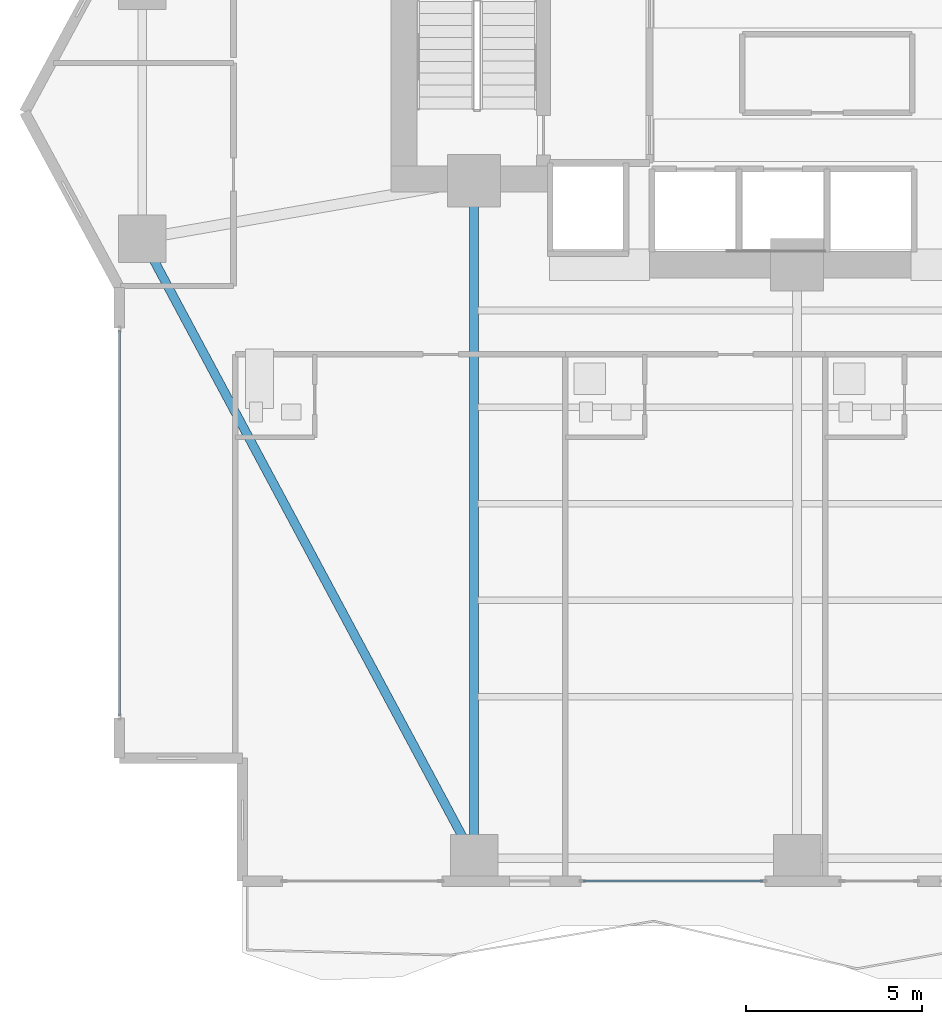
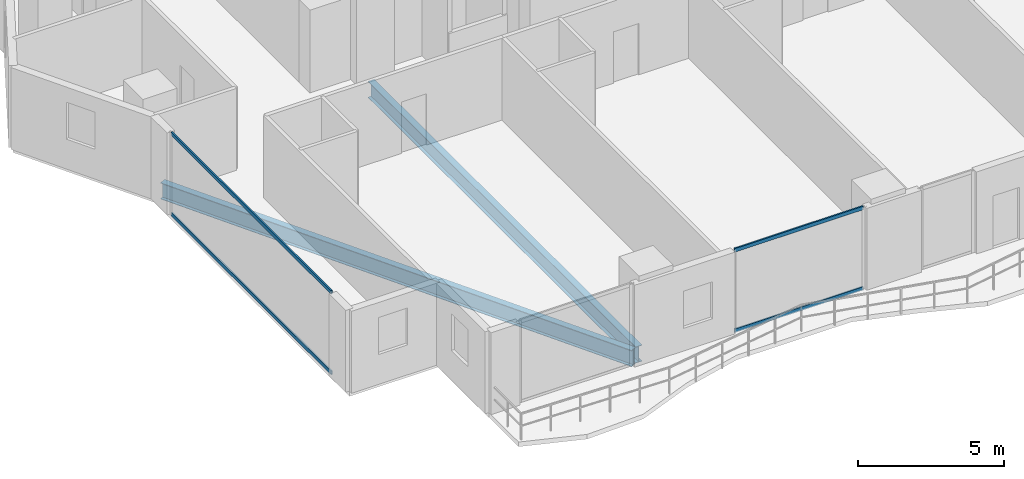
# One storey, part 3 of 28: 4 members, 2 beams, 2 elements without a shape of their own.
"""IFC4 building model written with IfcOpenShell, lengths in metres."""

import ifcopenshell
import ifcopenshell.guid

model = None  # the IFC model being written
_history = None  # IfcOwnerHistory: only IFC2X3 demands one
_inside = {}  # id of a spatial element -> (the spatial element, [elements in it])
_under = {}  # id of a project, library or spatial element -> (it, [spatial elements below it])
_declared = {}  # id of a project -> (the project, [libraries it declares])
_typed = {}  # id of a type object -> (the type object, [elements of that type])
_made_of = {}  # id of a material, layer set ... -> (it, [elements and type objects made of it])


def new_model(schema):
    """Start an empty IFC model of exactly this schema.

    Asked for "IFC4X3", IfcOpenShell would pick the latest addendum, in which some entities
    have other attributes; the version numbers below select the first issue.
    IFC2X3 requires an IfcOwnerHistory on every rooted entity: one is made here for all.
    """
    global model, _history
    if schema == "IFC4X3":
        model = ifcopenshell.file(schema_version=(4, 3, 0, 0))
    else:
        model = ifcopenshell.file(schema=schema)
    _inside.clear()
    _under.clear()
    _declared.clear()
    _typed.clear()
    _made_of.clear()
    _history = None
    if model.schema == "IFC2X3":
        org = make("IfcOrganization", Name="unknown")
        user = make(
            "IfcPersonAndOrganization",
            ThePerson=make("IfcPerson", FamilyName="unknown"),
            TheOrganization=org,
        )
        app = make(
            "IfcApplication",
            ApplicationDeveloper=org,
            Version="unknown",
            ApplicationFullName="unknown",
            ApplicationIdentifier="unknown",
        )
        _history = make(
            "IfcOwnerHistory",
            OwningUser=user,
            OwningApplication=app,
            ChangeAction="ADDED",
            CreationDate=0,
        )
    return model


def make(cls, **values):
    """One entity of the class cls with the attributes given. An attribute that is None is left unset."""
    return model.create_entity(
        cls, **{name: value for name, value in values.items() if value is not None}
    )


def rooted(cls, **values):
    """An entity with a GlobalId (a new one), such as an element, a storey or a relation."""
    return make(cls, GlobalId=ifcopenshell.guid.new(), OwnerHistory=_history, **values)


def si_unit(unit_type, name, prefix=None):
    """IfcSIUnit, for example si_unit("LENGTHUNIT", "METRE", prefix="MILLI")."""
    return make("IfcSIUnit", UnitType=unit_type, Prefix=prefix, Name=name)


def assignment(units):
    """IfcUnitAssignment: the units of a project."""
    return None if units is None else make("IfcUnitAssignment", Units=units)


def point(xyz):
    """IfcCartesianPoint."""
    return None if xyz is None else make("IfcCartesianPoint", Coordinates=xyz)


def direction(xyz):
    """IfcDirection."""
    return None if xyz is None else make("IfcDirection", DirectionRatios=xyz)


def frame(location, z_axis=None, x_axis=None):
    """IfcAxis2Placement3D, a coordinate frame: its origin and axes. An axis left out is left unset."""
    return make(
        "IfcAxis2Placement3D",
        Location=point(location),
        Axis=direction(z_axis),
        RefDirection=direction(x_axis),
    )


def frame_2d(location, x_axis=None):
    """IfcAxis2Placement2D, a coordinate frame in the plane: its origin and x axis."""
    return make(
        "IfcAxis2Placement2D", Location=point(location), RefDirection=direction(x_axis)
    )


def origin():
    """The frame at (0, 0, 0) with its axes left unset."""
    return frame((0.0, 0.0, 0.0))


def origin_2d():
    """The frame at (0, 0) in the plane with its x axis left unset."""
    return frame_2d((0.0, 0.0))


def place(relative_to, where):
    """IfcLocalPlacement: puts the frame where relative to a parent placement (None: the world)."""
    return make(
        "IfcLocalPlacement", PlacementRelTo=relative_to, RelativePlacement=where
    )


def context(
    kind, dimensions, precision=None, world=None, true_north=None, identifier=None
):
    """IfcGeometricRepresentationContext, for example the 3D "Model" context."""
    return make(
        "IfcGeometricRepresentationContext",
        ContextIdentifier=identifier,
        ContextType=kind,
        CoordinateSpaceDimension=dimensions,
        Precision=precision,
        WorldCoordinateSystem=world,
        TrueNorth=true_north,
    )


def subcontext(parent, identifier, kind, view, scale=None):
    """IfcGeometricRepresentationSubContext, for example "Body" below "Model"."""
    return make(
        "IfcGeometricRepresentationSubContext",
        ContextIdentifier=identifier,
        ContextType=kind,
        ParentContext=parent,
        TargetScale=scale,
        TargetView=view,
    )


def project(units=None, contexts=None):
    """IfcProject with its units and contexts."""
    return rooted(
        "IfcProject",
        Name="project",
        RepresentationContexts=contexts,
        UnitsInContext=assignment(units),
    )


def spatial(cls, under=None, at=None, **own):
    """A site, building, storey or space (cls), placed at a placement, below another one or the project."""
    s = rooted(cls, ObjectPlacement=at, **own)
    if under is not None:
        _under.setdefault(under.id(), (under, []))[1].append(s)
    return s


def profile(cls, at=None, kind="AREA", **sizes):
    """A parametric profile (cls). Its sizes go by their IFC names, for example OverallWidth=200.0."""
    return make(cls, ProfileType=kind, Position=at, **sizes)


def hollow_rectangle(**sizes):
    """IfcRectangleHollowProfileDef."""
    return profile("IfcRectangleHollowProfileDef", **sizes)


def i_section(**sizes):
    """IfcIShapeProfileDef."""
    return profile("IfcIShapeProfileDef", **sizes)


def extrude(swept, where, along, depth):
    """IfcExtrudedAreaSolid: the profile swept, set in the frame where, extruded along a direction by depth."""
    return make(
        "IfcExtrudedAreaSolid",
        SweptArea=swept,
        Position=where,
        ExtrudedDirection=direction(along),
        Depth=depth,
    )


def shape(context_of_items, identifier, shape_type, items):
    """IfcShapeRepresentation: the items that make up one representation, for example the "Body"."""
    return make(
        "IfcShapeRepresentation",
        ContextOfItems=context_of_items,
        RepresentationIdentifier=identifier,
        RepresentationType=shape_type,
        Items=items,
    )


def material(Name=None, Category=None):
    """IfcMaterial."""
    return make("IfcMaterial", Name=Name, Category=Category)


def layer(
    of_material, thickness, ventilated=None, Name=None, Category=None, Priority=None
):
    """IfcMaterialLayer: one layer of a wall or slab, of a material (None: an air gap)."""
    return make(
        "IfcMaterialLayer",
        Material=of_material,
        LayerThickness=thickness,
        IsVentilated=ventilated,
        Name=Name,
        Category=Category,
        Priority=Priority,
    )


def layer_set(layers, Name=None):
    """IfcMaterialLayerSet."""
    return make("IfcMaterialLayerSet", MaterialLayers=layers, LayerSetName=Name)


def material_profile(
    of_material, cross_section, Name=None, Category=None, Priority=None
):
    """IfcMaterialProfile: a cross section and its material."""
    return make(
        "IfcMaterialProfile",
        Name=Name,
        Material=of_material,
        Profile=cross_section,
        Priority=Priority,
        Category=Category,
    )


def profile_set(profiles, Name=None, composite=None):
    """IfcMaterialProfileSet."""
    return make(
        "IfcMaterialProfileSet",
        Name=Name,
        MaterialProfiles=profiles,
        CompositeProfile=composite,
    )


def made_of(thing, what):
    """Note that an element or type object is made of a material, layer set ...; save() writes the relation."""
    if what is not None:
        _made_of.setdefault(what.id(), (what, []))[1].append(thing)
    return thing


def type_object(cls, material=None, **own):
    """A type object (cls), such as IfcWallType, which elements share."""
    return made_of(rooted(cls, **own), material)


def element(
    cls,
    number,
    at=None,
    inside=None,
    cuts=None,
    type_object=None,
    material=None,
    context=None,
    identifier="Body",
    shape_type=None,
    held_by="IfcProductDefinitionShape",
    body=None,
    shapes=None,
    **own,
):
    """One element of the class cls, such as IfcWall. Its Tag is "e" and its number.

    at: its placement. inside: the storey or other place that contains it. cuts: it is an
    opening in that element (IfcRelVoidsElement). A single representation is given by context,
    identifier, shape_type and body (its items); several are given by shapes. held_by: the class
    of the entity that holds the representations. save() writes the other relations.
    """
    e = rooted(cls, Tag="e%d" % number, ObjectPlacement=at, **own)
    if body is not None:
        shapes = [shape(context, identifier, shape_type, body)]
    if shapes is not None:
        e.Representation = make(held_by, Representations=shapes)
    if inside is not None:
        _inside.setdefault(inside.id(), (inside, []))[1].append(e)
    if cuts is not None:
        rooted(
            "IfcRelVoidsElement", RelatingBuildingElement=cuts, RelatedOpeningElement=e
        )
    if type_object is not None:
        _typed.setdefault(type_object.id(), (type_object, []))[1].append(e)
    return made_of(e, material)


def aggregate(whole, parts):
    """IfcRelAggregates: a whole, such as a stair, and the parts it consists of."""
    return rooted("IfcRelAggregates", RelatingObject=whole, RelatedObjects=parts)


def save(model, path):
    """Write the relations noted so far, then the file.

    IfcRelAggregates (storeys below a building ...), IfcRelContainedInSpatialStructure (elements
    in a storey), IfcRelDefinesByType, IfcRelAssociatesMaterial and IfcRelDeclares: one each for
    every whole, place, type object, material and project.
    """
    for whole, parts in _under.values():
        aggregate(whole, parts)
    for where, things in _inside.values():
        rooted(
            "IfcRelContainedInSpatialStructure",
            RelatedElements=things,
            RelatingStructure=where,
        )
    for kind, things in _typed.values():
        rooted("IfcRelDefinesByType", RelatedObjects=things, RelatingType=kind)
    for what, things in _made_of.values():
        rooted("IfcRelAssociatesMaterial", RelatedObjects=things, RelatingMaterial=what)
    for by, libraries in _declared.values():
        rooted("IfcRelDeclares", RelatingContext=by, RelatedDefinitions=libraries)
    model.write(path)


model = new_model("IFC4")

# Units and contexts
model_context = context("Model", 3, precision=1e-05, world=origin(), true_north=direction((0.0, 1.0)))
body_context = subcontext(model_context, "Body", "Model", "MODEL_VIEW")
ifc_project = project(units=[si_unit("LENGTHUNIT", "METRE"), si_unit("AREAUNIT", "SQUARE_METRE"), si_unit("VOLUMEUNIT", "CUBIC_METRE"), si_unit("PLANEANGLEUNIT", "RADIAN"), si_unit("MASSUNIT", "GRAM", prefix="KILO")], contexts=[model_context])

# Site, building, storey
site_placement = place(None, origin())
site = spatial("IfcSite", under=ifc_project, at=site_placement, CompositionType="ELEMENT")
building_placement = place(site_placement, origin())
building = spatial("IfcBuilding", under=site, at=building_placement, Name="Zuhayl Quay Hotel", CompositionType="ELEMENT")
storey_placement = place(building_placement, frame((0.0, 0.0, 99.300048828125)))
storey = spatial("IfcBuildingStorey", under=building, at=storey_placement, Name="L24", CompositionType="ELEMENT", Elevation=99.300048828125)

# Beams
ifc_material_1 = material(Name="Steel ASTM A992 Grade 50", Category="steel")
ifc_material_profile_1 = material_profile(ifc_material_1, i_section(OverallWidth=0.25390625, OverallDepth=0.68310546875, WebThickness=0.012451171875, FlangeThickness=0.018798828125, at=origin_2d()), Name="W27X94")
ifc_profile_set_1 = profile_set([ifc_material_profile_1], Name="Steel ASTM A992 Grade 50")
beam_type = type_object("IfcBeamType", Name="BM_B2_W27X94", PredefinedType="BEAM", material=ifc_profile_set_1)
beam_1_placement = place(storey_placement, frame((-23.013916015625, 2.459228515625, -0.5615234375), z_axis=(0.472017301959, -0.88158928456, 0.0), x_axis=(0.88158928456, 0.472017301959, 0.0)))
element("IfcBeam", 1, at=beam_1_placement, inside=storey, type_object=beam_type, Name="L24 Floor Beam RG_L24_12", PredefinedType="BEAM", context=body_context, shape_type="SweptSolid", body=[
    extrude(i_section(OverallWidth=0.25390625, OverallDepth=0.68310546875, WebThickness=0.012451171875, FlangeThickness=0.018798828125, at=origin_2d()), origin(), (0.0, 0.0, 1.0), 19.0205078125),
])
beam_2_placement = place(storey_placement, frame((-13.800048828125, -14.25, -0.5615234375), z_axis=(0.0, 1.0, 0.0), x_axis=(-1.0, 0.0, 0.0)))
element("IfcBeam", 2, at=beam_2_placement, inside=storey, type_object=beam_type, Name="L24 Floor Beam FG_S_L24_1", PredefinedType="BEAM", context=body_context, shape_type="SweptSolid", body=[
    extrude(i_section(OverallWidth=0.25390625, OverallDepth=0.68310546875, WebThickness=0.012451171875, FlangeThickness=0.018798828125, at=origin_2d()), origin(), (0.0, 0.0, 1.0), 18.35009765625),
])

# Curtain wall, members
ifc_material_2 = material(Name="Anodised Aluminium 6063-T6", Category="aluminium")
ifc_layer = layer(ifc_material_2, 0.179931640625, Name="Anodised Aluminium 6063-T6", Category="aluminium")
ifc_layer_set = layer_set([ifc_layer], Name="Anodised Aluminium 6063-T6")
curtain_wall_type = type_object("IfcCurtainWallType", Name="CW_SYS_Z2", PredefinedType="USERDEFINED", material=ifc_layer_set)
curtain_wall_1_placement = place(storey_placement, origin())
curtain_wall_1 = element("IfcCurtainWall", 3, at=curtain_wall_1_placement, inside=storey, type_object=curtain_wall_type, Name="L24 Curtain Wall ENV_L24_E02_CW1", ObjectType="UNITISED CURTAIN WALL", PredefinedType="USERDEFINED")
ifc_material_3 = material(Name="Black-anodised aluminium 6063-T6", Category="aluminium")
ifc_material_profile_2 = material_profile(ifc_material_3, hollow_rectangle(XDim=0.06005859375, YDim=0.14990234375, WallThickness=0.00341796875, at=origin_2d()), Name="ALU150X60")
ifc_profile_set_2 = profile_set([ifc_material_profile_2], Name="Black-anodised aluminium 6063-T6")
member_type = type_object("IfcMemberType", Name="MB_CW_TRN_150", PredefinedType="USERDEFINED", material=ifc_profile_set_2)
member_1_placement = place(storey_placement, frame((-23.89990234375, -10.68505859375, 0.030029296875), z_axis=(0.0, 1.0, 0.0), x_axis=(-1.0, 0.0, 0.0)))
member_1 = element("IfcMember", 4, at=member_1_placement, type_object=member_type, Name="CW-Z2 transom 1.1", ObjectType="TRANSOM", PredefinedType="USERDEFINED", context=body_context, shape_type="SweptSolid", body=[
    extrude(hollow_rectangle(XDim=0.06005859375, YDim=0.14990234375, WallThickness=0.00341796875, at=origin_2d()), origin(), (0.0, 0.0, 1.0), 10.969970703125),
])
member_2_placement = place(storey_placement, frame((-23.89990234375, -10.68505859375, 3.39990234375), z_axis=(0.0, 1.0, 0.0), x_axis=(-1.0, 0.0, 0.0)))
member_2 = element("IfcMember", 5, at=member_2_placement, type_object=member_type, Name="CW-Z2 transom 1.2", ObjectType="TRANSOM", PredefinedType="USERDEFINED", context=body_context, shape_type="SweptSolid", body=[
    extrude(hollow_rectangle(XDim=0.06005859375, YDim=0.14990234375, WallThickness=0.00341796875, at=origin_2d()), origin(), (0.0, 0.0, 1.0), 10.969970703125),
])
aggregate(curtain_wall_1, [member_1, member_2])

curtain_wall_2_placement = place(storey_placement, origin())
curtain_wall_2 = element("IfcCurtainWall", 6, at=curtain_wall_2_placement, inside=storey, type_object=curtain_wall_type, Name="L24 Curtain Wall ENV_L24_S_CW5", ObjectType="UNITISED CURTAIN WALL", PredefinedType="USERDEFINED")
member_3_placement = place(storey_placement, frame((-5.5849609375, -15.39990234375, 0.030029296875), z_axis=(-1.0, 0.0, 0.0), x_axis=(0.0, -1.0, 0.0)))
member_3 = element("IfcMember", 7, at=member_3_placement, type_object=member_type, Name="CW-Z2 transom 1.1", ObjectType="TRANSOM", PredefinedType="USERDEFINED", context=body_context, shape_type="SweptSolid", body=[
    extrude(hollow_rectangle(XDim=0.06005859375, YDim=0.14990234375, WallThickness=0.00341796875, at=origin_2d()), origin(), (0.0, 0.0, 1.0), 5.10009765625),
])
member_4_placement = place(storey_placement, frame((-5.5849609375, -15.39990234375, 3.39990234375), z_axis=(-1.0, 0.0, 0.0), x_axis=(0.0, -1.0, 0.0)))
member_4 = element("IfcMember", 8, at=member_4_placement, type_object=member_type, Name="CW-Z2 transom 1.2", ObjectType="TRANSOM", PredefinedType="USERDEFINED", context=body_context, shape_type="SweptSolid", body=[
    extrude(hollow_rectangle(XDim=0.06005859375, YDim=0.14990234375, WallThickness=0.00341796875, at=origin_2d()), origin(), (0.0, 0.0, 1.0), 5.10009765625),
])
aggregate(curtain_wall_2, [member_3, member_4])

save(model, "model.ifc")
